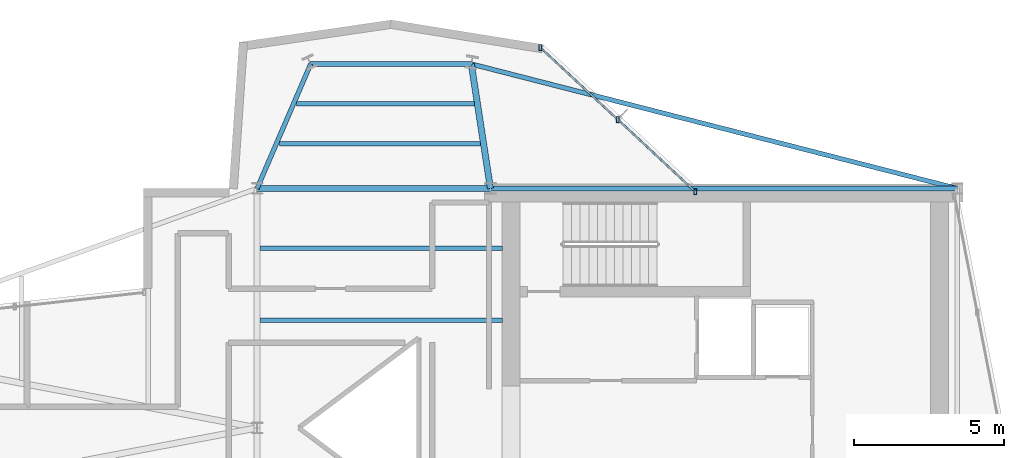
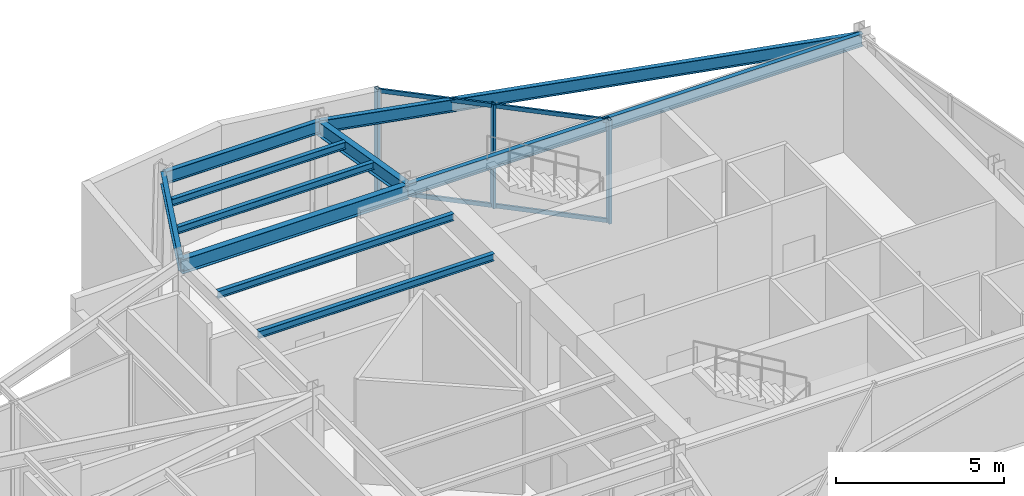
# One storey, part 5 of 11: 10 beams, 5 members, 1 element without a shape of its own.
"""IFC4 building model written with IfcOpenShell, lengths in metres."""

from ifc_helpers import new_model, si_unit, direction, frame, origin, origin_2d, place, context, subcontext, project, spatial, hollow_rectangle, i_section, extrude, material, layer, layer_set, material_profile, profile_set, type_object, element, aggregate, save


model = new_model("IFC4")

# Units and contexts
model_context = context("Model", 3, precision=1e-05, world=origin(), true_north=direction((0.0, 1.0)))
body_context = subcontext(model_context, "Body", "Model", "MODEL_VIEW")
ifc_project = project(units=[si_unit("LENGTHUNIT", "METRE"), si_unit("AREAUNIT", "SQUARE_METRE"), si_unit("VOLUMEUNIT", "CUBIC_METRE"), si_unit("PLANEANGLEUNIT", "RADIAN"), si_unit("MASSUNIT", "GRAM", prefix="KILO")], contexts=[model_context])

# Site, building, storey
site_placement = place(None, origin())
site = spatial("IfcSite", under=ifc_project, at=site_placement, CompositionType="ELEMENT")
building_placement = place(site_placement, origin())
building = spatial("IfcBuilding", under=site, at=building_placement, Name="Veymaron Broadcast Tower", CompositionType="ELEMENT")
storey_placement = place(building_placement, frame((0.0, 0.0, 323.550048828125)))
storey = spatial("IfcBuildingStorey", under=building, at=storey_placement, Name="L76", CompositionType="ELEMENT", Elevation=323.550048828125)

# Beams
ifc_material_1 = material(Name="Structural steel ASTM A992 Gr 50", Category="steel")
ifc_material_profile_1 = material_profile(ifc_material_1, i_section(OverallWidth=0.208984375, OverallDepth=0.528076171875, WebThickness=0.009521484375, FlangeThickness=0.01318359375, at=origin_2d()), Name="W530X82")
ifc_profile_set_1 = profile_set([ifc_material_profile_1], Name="Structural steel ASTM A992 Gr 50")
beam_type_1 = type_object("IfcBeamType", Name="BM-FG4", PredefinedType="BEAM", material=ifc_profile_set_1)
beam_1_placement = place(storey_placement, frame((31.199951171875, 32.0, 3.505859375), z_axis=(1.0, 0.0, 0.0), x_axis=(0.0, 1.0, 0.0)))
element("IfcBeam", 1, at=beam_1_placement, inside=storey, type_object=beam_type_1, Name="L76 primary structural floor girder", PredefinedType="BEAM", context=body_context, shape_type="SweptSolid", body=[
    extrude(i_section(OverallWidth=0.208984375, OverallDepth=0.528076171875, WebThickness=0.009521484375, FlangeThickness=0.01318359375, at=origin_2d()), origin(), (0.0, 0.0, 1.0), 7.800048828125),
])
beam_2_placement = place(storey_placement, frame((39.0, 32.0, 3.505859375), z_axis=(-0.152035389817, 0.988375050395, 0.0), x_axis=(-0.988375050395, -0.152035389817, 0.0)))
element("IfcBeam", 2, at=beam_2_placement, inside=storey, type_object=beam_type_1, Name="L76 primary structural floor girder", PredefinedType="BEAM", context=body_context, shape_type="SweptSolid", body=[
    extrude(i_section(OverallWidth=0.208984375, OverallDepth=0.528076171875, WebThickness=0.009521484375, FlangeThickness=0.01318359375, at=origin_2d()), origin(), (0.0, 0.0, 1.0), 4.208740234375),
])
ifc_material_profile_2 = material_profile(ifc_material_1, i_section(OverallWidth=0.14599609375, OverallDepth=0.258056640625, WebThickness=0.006103515625, FlangeThickness=0.009033203125, at=origin_2d()), Name="W250X33")
ifc_profile_set_2 = profile_set([ifc_material_profile_2], Name="Structural steel ASTM A992 Gr 50")
beam_type_2 = type_object("IfcBeamType", Name="BM-JS4", PredefinedType="JOIST", material=ifc_profile_set_2)
beam_3_placement = place(storey_placement, frame((31.945068359375, 33.49755859375, 3.640869140625), z_axis=(1.0, 0.0, 0.0), x_axis=(0.0, 1.0, 0.0)))
element("IfcBeam", 3, at=beam_3_placement, inside=storey, type_object=beam_type_2, Name="L76 Arm-B secondary joist 1", PredefinedType="JOIST", context=body_context, shape_type="SweptSolid", body=[
    extrude(i_section(OverallWidth=0.14599609375, OverallDepth=0.258056640625, WebThickness=0.006103515625, FlangeThickness=0.009033203125, at=origin_2d()), origin(), (0.0, 0.0, 1.0), 6.724609375),
])
beam_4_placement = place(storey_placement, frame((32.5185546875, 34.828857421875, 3.640869140625), z_axis=(1.0, 0.0, 0.0), x_axis=(0.0, 1.0, 0.0)))
element("IfcBeam", 4, at=beam_4_placement, inside=storey, type_object=beam_type_2, Name="L76 Arm-B secondary joist 2", PredefinedType="JOIST", context=body_context, shape_type="SweptSolid", body=[
    extrude(i_section(OverallWidth=0.14599609375, OverallDepth=0.258056640625, WebThickness=0.006103515625, FlangeThickness=0.009033203125, at=origin_2d()), origin(), (0.0, 0.0, 1.0), 5.9462890625),
])
for number, where, z_axis, x_axis, name in (
    (5, (31.300048828125, 27.60009765625, 3.640869140625), (1.0, 0.0, 0.0), (0.0, 1.0, 0.0), "L76 Hub secondary joist 3"),
    (6, (31.300048828125, 30.0, 3.640869140625), (1.0, 0.0, 0.0), (0.0, 1.0, 0.0), "L76 Hub secondary joist 4"),
):
    element("IfcBeam", number, at=place(storey_placement, frame(where, z_axis=z_axis, x_axis=x_axis)), inside=storey, type_object=beam_type_2, Name=name, PredefinedType="JOIST", context=body_context, shape_type="SweptSolid", body=[
        extrude(i_section(OverallWidth=0.14599609375, OverallDepth=0.258056640625, WebThickness=0.006103515625, FlangeThickness=0.009033203125, at=origin_2d()), origin(), (0.0, 0.0, 1.0), 8.099853515625),
    ])
ifc_material_profile_3 = material_profile(ifc_material_1, i_section(OverallWidth=0.154052734375, OverallDepth=0.458984375, WebThickness=0.009033203125, FlangeThickness=0.015380859375, at=origin_2d()), Name="W460X68")
ifc_profile_set_3 = profile_set([ifc_material_profile_3], Name="Structural steel ASTM A992 Gr 50")
beam_type_3 = type_object("IfcBeamType", Name="BM-SP2", PredefinedType="SPANDREL", material=ifc_profile_set_3)
beam_5_placement = place(storey_placement, frame((39.0, 32.0, 3.54052734375), z_axis=(1.0, 0.0, 0.0), x_axis=(0.0, 1.0, 0.0)))
element("IfcBeam", 7, at=beam_5_placement, inside=storey, type_object=beam_type_3, Name="L76 primary structural floor girder", PredefinedType="SPANDREL", context=body_context, shape_type="SweptSolid", body=[
    extrude(i_section(OverallWidth=0.154052734375, OverallDepth=0.458984375, WebThickness=0.009033203125, FlangeThickness=0.015380859375, at=origin_2d()), origin(), (0.0, 0.0, 1.0), 15.60009765625),
])
beam_6_placement = place(storey_placement, frame((31.199951171875, 32.0, 3.54052734375), z_axis=(0.395629491612, 0.918410205391, 0.0), x_axis=(-0.918410205391, 0.395629491612, 0.0)))
element("IfcBeam", 8, at=beam_6_placement, inside=storey, type_object=beam_type_3, Name="L76 primary structural floor girder", PredefinedType="SPANDREL", context=body_context, shape_type="SweptSolid", body=[
    extrude(i_section(OverallWidth=0.154052734375, OverallDepth=0.458984375, WebThickness=0.009033203125, FlangeThickness=0.015380859375, at=origin_2d()), origin(), (0.0, 0.0, 1.0), 4.529541015625),
])
beam_7_placement = place(storey_placement, frame((54.60009765625, 32.0, 3.54052734375), z_axis=(-0.968723940859, 0.248140940608, 0.0), x_axis=(-0.248140940608, -0.968723940859, 0.0)))
element("IfcBeam", 9, at=beam_7_placement, inside=storey, type_object=beam_type_3, Name="L76 primary structural floor girder", PredefinedType="SPANDREL", context=body_context, shape_type="SweptSolid", body=[
    extrude(i_section(OverallWidth=0.154052734375, OverallDepth=0.458984375, WebThickness=0.009033203125, FlangeThickness=0.015380859375, at=origin_2d()), origin(), (0.0, 0.0, 1.0), 16.764404296875),
])
beam_8_placement = place(storey_placement, frame((32.991943359375, 36.159912109375, 3.54052734375), z_axis=(1.0, 0.0, 0.0), x_axis=(0.0, 1.0, 0.0)))
element("IfcBeam", 10, at=beam_8_placement, inside=storey, type_object=beam_type_3, Name="L76 primary structural floor girder", PredefinedType="SPANDREL", context=body_context, shape_type="SweptSolid", body=[
    extrude(i_section(OverallWidth=0.154052734375, OverallDepth=0.458984375, WebThickness=0.009033203125, FlangeThickness=0.015380859375, at=origin_2d()), origin(), (0.0, 0.0, 1.0), 5.3681640625),
])

# Curtain wall, members
ifc_material_2 = material(Name="Anodised aluminium AA 6063-T6 and laminated low-E dark glass", Category="aluminium")
ifc_layer = layer(ifc_material_2, 0.179931640625)
ifc_layer_set = layer_set([ifc_layer], Name="Anodised aluminium AA 6063-T6 and laminated low-E dark glass")
curtain_wall_type = type_object("IfcCurtainWallType", Name="CW-SYS-06", PredefinedType="NOTDEFINED", material=ifc_layer_set)
curtain_wall_placement = place(storey_placement, origin())
curtain_wall = element("IfcCurtainWall", 11, at=curtain_wall_placement, inside=storey, type_object=curtain_wall_type, Name="L76 dark-glass curtain wall CW-L76-E5-1", PredefinedType="NOTDEFINED")
ifc_material_3 = material(Name="Anodised aluminium AA 6063-T6", Category="aluminium")
ifc_material_profile_4 = material_profile(ifc_material_3, hollow_rectangle(XDim=0.10009765625, YDim=0.199951171875, WallThickness=0.010009765625, at=origin_2d()), Name="RHS200X100X10")
ifc_profile_set_4 = profile_set([ifc_material_profile_4], Name="Anodised aluminium AA 6063-T6")
member_type_1 = type_object("IfcMemberType", Name="CW-MUL-01", PredefinedType="MULLION", material=ifc_profile_set_4)
member_1_placement = place(storey_placement, frame((45.84375, 31.8974609375, 0.0), z_axis=(0.0, 0.0, 1.0), x_axis=(1.0, 0.0, 0.0)))
member_1 = element("IfcMember", 12, at=member_1_placement, type_object=member_type_1, Name="CW-L76-E5-1 mullion 0", PredefinedType="MULLION", context=body_context, shape_type="SweptSolid", body=[
    extrude(hollow_rectangle(XDim=0.10009765625, YDim=0.199951171875, WallThickness=0.010009765625, at=origin_2d()), origin(), (0.0, 0.0, 1.0), 3.77001953125),
])
member_2_placement = place(storey_placement, frame((43.25390625, 34.3037109375, 0.0), z_axis=(0.0, 0.0, 1.0), x_axis=(1.0, 0.0, 0.0)))
member_2 = element("IfcMember", 13, at=member_2_placement, type_object=member_type_1, Name="CW-L76-E5-1 mullion 1", PredefinedType="MULLION", context=body_context, shape_type="SweptSolid", body=[
    extrude(hollow_rectangle(XDim=0.10009765625, YDim=0.199951171875, WallThickness=0.010009765625, at=origin_2d()), origin(), (0.0, 0.0, 1.0), 3.77001953125),
])
member_3_placement = place(storey_placement, frame((40.6640625, 36.710205078125, 0.0), z_axis=(0.0, 0.0, 1.0), x_axis=(1.0, 0.0, 0.0)))
member_3 = element("IfcMember", 14, at=member_3_placement, type_object=member_type_1, Name="CW-L76-E5-1 mullion 2", PredefinedType="MULLION", context=body_context, shape_type="SweptSolid", body=[
    extrude(hollow_rectangle(XDim=0.10009765625, YDim=0.199951171875, WallThickness=0.010009765625, at=origin_2d()), origin(), (0.0, 0.0, 1.0), 3.77001953125),
])
ifc_material_profile_5 = material_profile(ifc_material_3, hollow_rectangle(XDim=0.06494140625, YDim=0.14990234375, WallThickness=0.00390625, at=origin_2d()), Name="AL150X65X4")
ifc_profile_set_5 = profile_set([ifc_material_profile_5], Name="Anodised aluminium AA 6063-T6")
member_type_2 = type_object("IfcMemberType", Name="CW-TRN-01", PredefinedType="USERDEFINED", material=ifc_profile_set_5)
member_4_placement = place(storey_placement, frame((45.80712890625, 31.931396484375, 0.070068359375), z_axis=(-0.732566417179, 0.680695559279, 0.0), x_axis=(-0.680695559279, -0.732566417179, 0.0)))
member_4 = element("IfcMember", 15, at=member_4_placement, type_object=member_type_2, Name="CW-L76-E5-1 transom B", ObjectType="TRANSOM", PredefinedType="USERDEFINED", context=body_context, shape_type="SweptSolid", body=[
    extrude(hollow_rectangle(XDim=0.06494140625, YDim=0.14990234375, WallThickness=0.00390625, at=origin_2d()), origin(), (0.0, 0.0, 1.0), 6.970703125),
])
member_5_placement = place(storey_placement, frame((45.80712890625, 31.931396484375, 3.699951171875), z_axis=(-0.732566417179, 0.680695559279, 0.0), x_axis=(-0.680695559279, -0.732566417179, 0.0)))
member_5 = element("IfcMember", 16, at=member_5_placement, type_object=member_type_2, Name="CW-L76-E5-1 transom T", ObjectType="TRANSOM", PredefinedType="USERDEFINED", context=body_context, shape_type="SweptSolid", body=[
    extrude(hollow_rectangle(XDim=0.06494140625, YDim=0.14990234375, WallThickness=0.00390625, at=origin_2d()), origin(), (0.0, 0.0, 1.0), 6.970703125),
])
aggregate(curtain_wall, [member_1, member_2, member_3, member_4, member_5])

save(model, "model.ifc")
